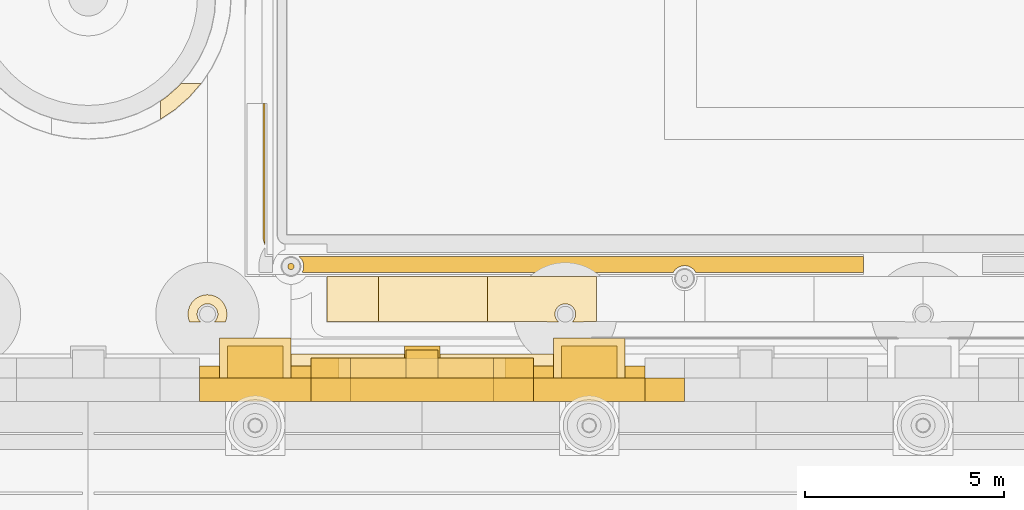
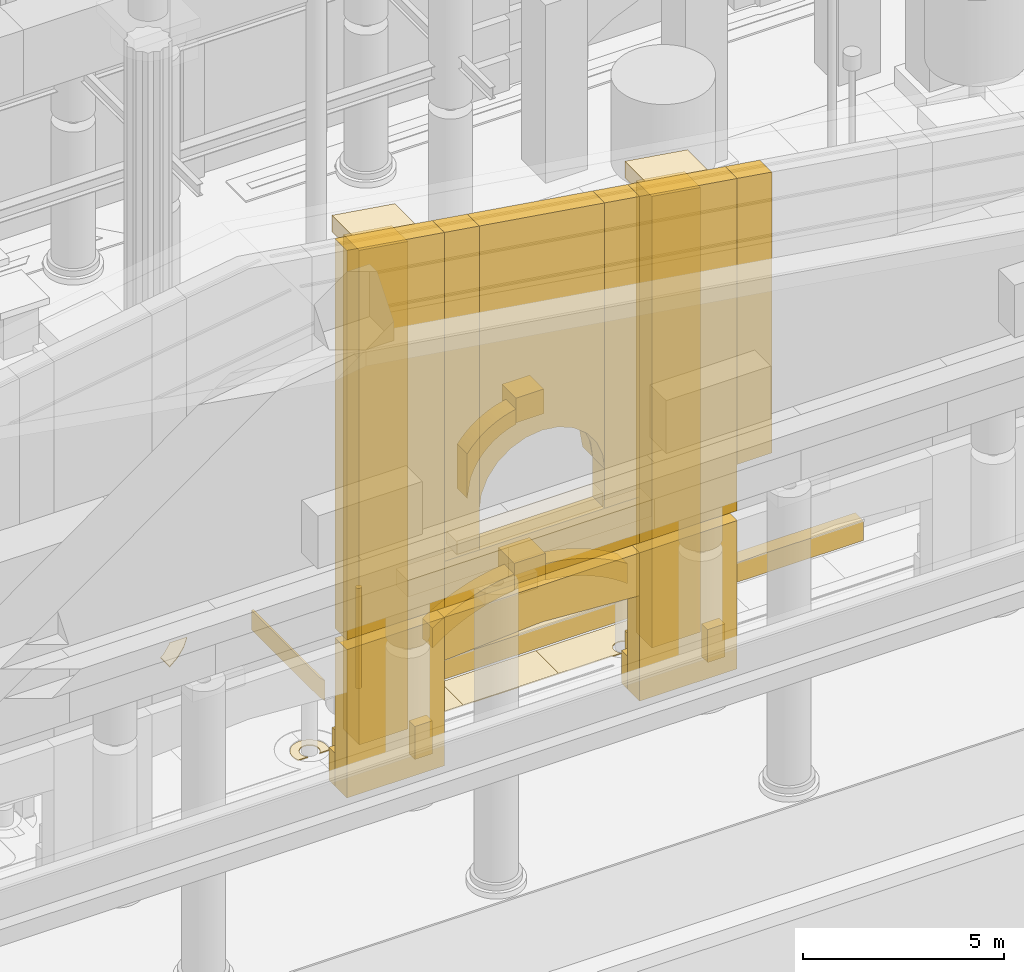
# One storey, part 124 of 222: 36 coverings.
"""IFC4 building model written with IfcOpenShell, lengths in metres."""

from ifc_helpers import new_model, si_unit, direction, frame, origin, origin_2d, place, context, subcontext, project, spatial, polyline, rectangle, circle, outline, extrude, material, layer, layer_set, type_object, element, save


model = new_model("IFC4")

# Units and contexts
model_context = context("Model", 3, precision=1e-05, world=origin(), true_north=direction((0.0, 1.0)))
body_context = subcontext(model_context, "Body", "Model", "MODEL_VIEW")
ifc_project = project(units=[si_unit("LENGTHUNIT", "METRE"), si_unit("AREAUNIT", "SQUARE_METRE"), si_unit("VOLUMEUNIT", "CUBIC_METRE"), si_unit("PLANEANGLEUNIT", "RADIAN"), si_unit("MASSUNIT", "GRAM", prefix="KILO")], contexts=[model_context])

# Site, building, storey
site_placement = place(None, origin())
site = spatial("IfcSite", under=ifc_project, at=site_placement, CompositionType="ELEMENT")
building_placement = place(site_placement, origin())
building = spatial("IfcBuilding", under=site, at=building_placement, Name="Sava Quay Ferry Terminal", CompositionType="ELEMENT")
storey_placement = place(building_placement, origin())
storey = spatial("IfcBuildingStorey", under=building, at=storey_placement, Name="L00", CompositionType="ELEMENT", Elevation=0.0)

# Coverings
ifc_material_1 = material(Name="Limestone Mutalj", Category="masonry")
ifc_layer_1 = layer(ifc_material_1, 0.60009765625)
ifc_layer_set_1 = layer_set([ifc_layer_1], Name="Limestone Mutalj")
covering_type_1 = type_object("IfcCoveringType", Name="Arcade spandrel 600", PredefinedType="CLADDING", material=ifc_layer_set_1)
covering_1_placement = place(storey_placement, frame((68.60009765625, 0.39990234375, 3.199951171875), z_axis=(0.0, 1.0, 0.0), x_axis=(0.0, 0.0, 1.0)))
element("IfcCovering", 1, at=covering_1_placement, inside=storey, type_object=covering_type_1, Name="Arcade spandrel", PredefinedType="CLADDING", context=body_context, shape_type="SweptSolid", body=[
    extrude(outline(polyline([(0.0, 0.0), (1.300048828125, 0.0), (1.300048828125, 5.599853515625), (0.0, 5.599853515625), (0.334228515625, 0.500244140625), (0.60009765625, 1.039794921875), (0.79345703125, 1.609619140625), (0.91064453125, 2.19970703125), (0.949951171875, 2.7998046875), (0.91064453125, 3.400146484375), (0.79345703125, 3.990234375), (0.60009765625, 4.56005859375), (0.334228515625, 5.099609375), (0.0, 0.0)])), origin(), (0.0, 0.0, -1.0), 0.60009765625),
])
ifc_material_2 = material(Name="Limestone Mutalj", Category="masonry")
ifc_layer_2 = layer(ifc_material_2, 0.60009765625)
ifc_layer_set_2 = layer_set([ifc_layer_2], Name="Limestone Mutalj")
covering_type_2 = type_object("IfcCoveringType", Name="Arcade wall pier 2800", PredefinedType="CLADDING", material=ifc_layer_set_2)
for number, where, z_axis, x_axis, name in (
    (2, (67.199951171875, 0.10009765625, 0.0), (0.0, 0.0, 1.0), (1.0, 0.0, 0.0), "Arcade wall pier"),
    (3, (75.60009765625, 0.10009765625, 0.0), (0.0, 0.0, 1.0), (1.0, 0.0, 0.0), "Arcade wall pier"),
):
    element("IfcCovering", number, at=place(storey_placement, frame(where, z_axis=z_axis, x_axis=x_axis)), inside=storey, type_object=covering_type_2, Name=name, PredefinedType="CLADDING", context=body_context, shape_type="SweptSolid", body=[
        extrude(rectangle(XDim=2.800048828125, YDim=0.60009765625, at=origin_2d()), origin(), (0.0, 0.0, 1.0), 4.5),
    ])
ifc_material_3 = material(Name="Limestone Mutalj", Category="masonry")
ifc_layer_3 = layer(ifc_material_3, 0.5)
ifc_layer_set_3 = layer_set([ifc_layer_3], Name="Limestone Mutalj")
covering_type_3 = type_object("IfcCoveringType", Name="Arch archivolt 500", PredefinedType="MOLDING", material=ifc_layer_set_3)
covering_2_placement = place(storey_placement, frame((68.60009765625, 0.39990234375, 3.199951171875), z_axis=(0.0, -1.0, 0.0), x_axis=(0.806852823611, 0.0, 0.590752504041)))
element("IfcCovering", 4, at=covering_2_placement, inside=storey, type_object=covering_type_3, Name="Arch archivolt", PredefinedType="MOLDING", context=body_context, shape_type="SweptSolid", body=[
    extrude(outline(polyline([(0.0, 0.0), (0.20787509749840927, 0.0), (0.40945697969939554, -0.009008576554329961), (0.604640128868794, -0.02634330518659722), (0.7946838762252251, -0.05111072595207916), (0.979050023977853, -0.08321937103230143), (1.1589979033452982, -0.12177578048254145), (1.333989316536725, -0.16668848648432477), (1.5047066880285258, -0.21785197130348632), (1.671188726772093, -0.2743868249109943), (1.8335409505015914, -0.33697547178324117), (1.991802068168413, -0.40473850189119476), (2.1465102775633937, -0.4777673830533299), (2.2971273808956973, -0.5559706474511719), (2.44419157595616, -0.6394397629031952), (2.7408658681467877, -0.23424048112394869), (2.5948112598852235, -0.14939246680344964), (2.4457806500940458, -0.06902236132657413), (2.2930916142968627, 0.0067643175725125015), (2.1371381235989517, 0.07767911652269655), (1.9775262068950354, 0.14401048889509205), (1.8145056086048346, 0.2052729957659455), (1.6475381309375143, 0.26155810495373144), (1.4770177449983528, 0.3125773630873362), (1.3021177996254005, 0.35802826687995526), (1.1235207192950503, 0.3980163340657535), (0.9402556261597954, 0.4320420758052873), (0.7525722646393578, 0.45962005317480337), (0.5597882102573449, 0.48064474844013677), (0.36215320743347845, 0.49463072267753416), (0.0, 0.0)])), origin(), (0.0, 0.0, -1.0), 0.5),
])
covering_3_placement = place(storey_placement, frame((71.85009765625, 0.39990234375, 4.1279296875), z_axis=(0.0, -1.0, 0.0), x_axis=(0.993288078375, 0.0, -0.115666734017)))
element("IfcCovering", 5, at=covering_3_placement, inside=storey, type_object=covering_type_3, Name="Arch archivolt", PredefinedType="MOLDING", context=body_context, shape_type="SweptSolid", body=[
    extrude(outline(polyline([(0.0, 0.0), (0.16885797084105578, 0.0), (0.33869265632147405, -0.006276812330012302), (0.5090472914454706, -0.01912941685976586), (0.6803786412088295, -0.03825883371953173), (0.8522299406157668, -0.06396404277903885), (1.0251709104570055, -0.09691607205759628), (1.198660068890557, -0.13668639550815445), (1.373267136707145, -0.18394604115002247), (1.5485635878597195, -0.23923649082518875), (1.7250061873440647, -0.3022587646639243), (1.9022793649080703, -0.3745243523972557), (2.0808398855475203, -0.4557342741554538), (2.2603721790103046, -0.5474000196695452), (2.4414177271384108, -0.6499501149865796), (2.3705097268655018, -0.041027662642972085), (2.191469144097561, 0.0443047926436376), (2.0136594265075956, 0.12117791784989947), (1.8365673312023516, 0.18977773705060355), (1.6606213842288784, 0.2506457320877383), (1.4853083426939224, 0.3039679270360939), (1.3110002547470634, 0.3507708076821776), (1.1372685943412522, 0.3905128921840011), (0.9645136485748037, 0.42397816435581226), (0.7922504135031985, 0.4511101463001416), (0.6209356541222211, 0.47220781788671823), (0.4500561275386178, 0.4874572031903321), (0.2800968376969075, 0.49691478010845264), (0.1105727806525713, 0.5005240707436104), (-0.05808751754734136, 0.49882655693779393), (0.0, 0.0)])), origin(), (0.0, 0.0, -1.0), 0.5),
])
ifc_material_4 = material(Name="Limestone Mutalj", Category="masonry")
ifc_layer_4 = layer(ifc_material_4, 0.800048828125)
ifc_layer_set_4 = layer_set([ifc_layer_4], Name="Limestone Mutalj")
covering_type_4 = type_object("IfcCoveringType", Name="Arch keystone 900", PredefinedType="CLADDING", material=ifc_layer_set_4)
covering_4_placement = place(storey_placement, frame((71.39990234375, 0.800048828125, 4.14990234375), z_axis=(0.0, 0.0, 1.0), x_axis=(1.0, 0.0, 0.0)))
element("IfcCovering", 6, at=covering_4_placement, inside=storey, type_object=covering_type_4, Name="Arch keystone", PredefinedType="CLADDING", context=body_context, shape_type="SweptSolid", body=[
    extrude(rectangle(XDim=0.89990234375, YDim=0.800048828125, at=origin_2d()), origin(), (0.0, 0.0, 1.0), 0.800048828125),
])
ifc_material_5 = material(Name="Limestone Mutalj", Category="masonry")
ifc_layer_5 = layer(ifc_material_5, 0.60009765625)
ifc_layer_set_5 = layer_set([ifc_layer_5], Name="Limestone Mutalj")
covering_type_5 = type_object("IfcCoveringType", Name="Attic arch head panel 600", PredefinedType="CLADDING", material=ifc_layer_set_5)
covering_5_placement = place(storey_placement, frame((69.60009765625, -0.199951171875, 7.39990234375), z_axis=(0.0, -1.0, 0.0), x_axis=(0.130360467782, 0.0, 0.991466665319)))
element("IfcCovering", 7, at=covering_5_placement, inside=storey, type_object=covering_type_5, Name="Attic arch head panel", PredefinedType="CLADDING", context=body_context, shape_type="SweptSolid", body=[
    extrude(outline(polyline([(0.0, 0.0), (0.47007576696975106, -6.938893903907228e-18), (0.9239096038088954, -0.12180908706656961), (1.3307996686807666, -0.3566594363796859), (1.6628474956806976, -0.6890123392533513), (1.8978308560459949, -1.095934230411302), (2.0193117900114737, -1.5497911444778028), (2.0193117900114737, -2.019866911447554), (1.8975027029449039, -2.473700748286698), (1.6626523536317879, -2.880590813158569), (1.3302994507581225, -3.2126386401585), (0.9233775596001718, -3.4476220005237974), (0.46927858824233326, -3.5691347607753556), (8.469030009664154, -2.517307832133723), (8.553094389419952, 1.1245818186193859), (0.0, 0.0)])), origin(), (0.0, 0.0, -1.0), 0.60009765625),
])
ifc_material_6 = material(Name="Limestone Mutalj", Category="masonry")
ifc_layer_6 = layer(ifc_material_6, 0.60009765625)
ifc_layer_set_6 = layer_set([ifc_layer_6], Name="Limestone Mutalj")
covering_type_6 = type_object("IfcCoveringType", Name="Attic wall pier 2800", PredefinedType="CLADDING", material=ifc_layer_set_6)
covering_6_placement = place(storey_placement, frame((65.800048828125, -0.199951171875, 4.800048828125), z_axis=(0.0, -1.0, 0.0), x_axis=(1.0, 0.0, 0.0)))
element("IfcCovering", 8, at=covering_6_placement, inside=storey, type_object=covering_type_6, Name="Attic wall pier", PredefinedType="CLADDING", context=body_context, shape_type="SweptSolid", body=[
    extrude(outline(polyline([(0.0, 0.0), (2.800048828125, 0.0), (2.800048828125, 11.3818359375), (0.0, 11.81591796875), (0.0, 0.0)])), origin(), (0.0, 0.0, -1.0), 0.60009765625),
])
covering_7_placement = place(storey_placement, frame((74.199951171875, -0.199951171875, 4.800048828125), z_axis=(0.0, -1.0, 0.0), x_axis=(1.0, 0.0, 0.0)))
element("IfcCovering", 9, at=covering_7_placement, inside=storey, type_object=covering_type_6, Name="Attic wall pier", PredefinedType="CLADDING", context=body_context, shape_type="SweptSolid", body=[
    extrude(outline(polyline([(0.0, 0.0), (2.800048828125, 0.0), (2.800048828125, 10.079345703125), (0.0, 10.513671875), (0.0, 0.0)])), origin(), (0.0, 0.0, -1.0), 0.60009765625),
])
ifc_material_7 = material(Name="Limestone Mutalj", Category="masonry")
ifc_layer_7 = layer(ifc_material_7, 0.60009765625)
ifc_layer_set_7 = layer_set([ifc_layer_7], Name="Limestone Mutalj")
covering_type_7 = type_object("IfcCoveringType", Name="Attic window jamb panel 600", PredefinedType="CLADDING", material=ifc_layer_set_7)
covering_8_placement = place(storey_placement, frame((68.60009765625, -0.199951171875, 6.199951171875), z_axis=(0.0, -1.0, 0.0), x_axis=(1.0, 0.0, 0.0)))
element("IfcCovering", 10, at=covering_8_placement, inside=storey, type_object=covering_type_7, Name="Attic window jamb panel", PredefinedType="CLADDING", context=body_context, shape_type="SweptSolid", body=[
    extrude(outline(polyline([(0.0, 0.0), (1.0, 0.0), (1.0, 9.82666015625), (0.0, 9.98193359375), (0.0, 0.0)])), origin(), (0.0, 0.0, -1.0), 0.60009765625),
])
covering_9_placement = place(storey_placement, frame((73.199951171875, -0.199951171875, 6.199951171875), z_axis=(0.0, -1.0, 0.0), x_axis=(1.0, 0.0, 0.0)))
element("IfcCovering", 11, at=covering_9_placement, inside=storey, type_object=covering_type_7, Name="Attic window jamb panel", PredefinedType="CLADDING", context=body_context, shape_type="SweptSolid", body=[
    extrude(outline(polyline([(0.0, 0.0), (1.0, 0.0), (1.0, 9.11376953125), (0.0, 9.2685546875), (0.0, 0.0)])), origin(), (0.0, 0.0, -1.0), 0.60009765625),
])
covering_10_placement = place(storey_placement, frame((77.0, -0.199951171875, 6.199951171875), z_axis=(0.0, -1.0, 0.0), x_axis=(1.0, 0.0, 0.0)))
element("IfcCovering", 12, at=covering_10_placement, inside=storey, type_object=covering_type_7, Name="Attic window jamb panel", PredefinedType="CLADDING", context=body_context, shape_type="SweptSolid", body=[
    extrude(outline(polyline([(0.0, 0.0), (1.0, 0.0), (1.0, 8.5244140625), (0.0, 8.679443359375), (0.0, 0.0)])), origin(), (0.0, 0.0, -1.0), 0.60009765625),
])
ifc_material_8 = material(Name="Limestone Mutalj", Category="masonry")
ifc_layer_8 = layer(ifc_material_8, 0.60009765625)
ifc_layer_set_8 = layer_set([ifc_layer_8], Name="Limestone Mutalj")
covering_type_8 = type_object("IfcCoveringType", Name="Attic window sill panel 600", PredefinedType="CLADDING", material=ifc_layer_set_8)
covering_11_placement = place(storey_placement, frame((68.60009765625, -0.199951171875, 4.800048828125), z_axis=(0.0, -1.0, 0.0), x_axis=(1.0, 0.0, 0.0)))
element("IfcCovering", 13, at=covering_11_placement, inside=storey, type_object=covering_type_8, Name="Attic window sill panel", PredefinedType="CLADDING", context=body_context, shape_type="SweptSolid", body=[
    extrude(outline(polyline([(0.0, 0.0), (5.599853515625, 0.0), (5.599853515625, 1.39990234375), (0.0, 1.39990234375), (0.0, 0.0)])), origin(), (0.0, 0.0, -1.0), 0.60009765625),
])
ifc_material_9 = material(Name="Limestone Mutalj", Category="masonry")
ifc_layer_9 = layer(ifc_material_9, 0.800048828125)
ifc_layer_set_9 = layer_set([ifc_layer_9], Name="Limestone Mutalj")
covering_type_9 = type_object("IfcCoveringType", Name="Back wall pilaster 800", PredefinedType="CLADDING", material=ifc_layer_set_9)
covering_12_placement = place(storey_placement, frame((66.5, 0.39990234375, 1.0), z_axis=(0.0, -1.0, 0.0), x_axis=(1.0, 0.0, 0.0)))
element("IfcCovering", 14, at=covering_12_placement, inside=storey, type_object=covering_type_9, Name="Back wall pilaster", PredefinedType="CLADDING", context=body_context, shape_type="SweptSolid", body=[
    extrude(outline(polyline([(0.0, 0.0), (1.39990234375, 0.0), (1.39990234375, 14.790283203125), (0.0, 15.00732421875), (0.0, 0.0)])), origin(), (0.0, 0.0, -1.0), 0.800048828125),
])
covering_13_placement = place(storey_placement, frame((74.89990234375, 0.39990234375, 1.0), z_axis=(0.0, -1.0, 0.0), x_axis=(1.0, 0.0, 0.0)))
element("IfcCovering", 15, at=covering_13_placement, inside=storey, type_object=covering_type_9, Name="Back wall pilaster", PredefinedType="CLADDING", context=body_context, shape_type="SweptSolid", body=[
    extrude(outline(polyline([(0.0, 0.0), (1.400146484375, 0.0), (1.400146484375, 13.488037109375), (0.0, 13.705078125), (0.0, 0.0)])), origin(), (0.0, 0.0, -1.0), 0.800048828125),
])
ifc_material_10 = material(Name="Limestone Mutalj", Category="masonry")
ifc_layer_10 = layer(ifc_material_10, 1.0)
ifc_layer_set_10 = layer_set([ifc_layer_10], Name="Limestone Mutalj")
covering_type_10 = type_object("IfcCoveringType", Name="Back wall pilaster base 1000", PredefinedType="MOLDING", material=ifc_layer_set_10)
for number, where, z_axis, x_axis, name in (
    (16, (67.199951171875, 0.89990234375, 0.0), (0.0, 0.0, 1.0), (1.0, 0.0, 0.0), "Back wall pilaster base"),
    (17, (75.60009765625, 0.89990234375, 0.0), (0.0, 0.0, 1.0), (1.0, 0.0, 0.0), "Back wall pilaster base"),
):
    element("IfcCovering", number, at=place(storey_placement, frame(where, z_axis=z_axis, x_axis=x_axis)), inside=storey, type_object=covering_type_10, Name=name, PredefinedType="MOLDING", context=body_context, shape_type="SweptSolid", body=[
        extrude(rectangle(XDim=1.800048828125, YDim=1.0, at=origin_2d()), origin(), (0.0, 0.0, 1.0), 1.0),
    ])
ifc_material_11 = material(Name="Limestone Mutalj", Category="masonry")
ifc_layer_11 = layer(ifc_material_11, 1.0)
ifc_layer_set_11 = layer_set([ifc_layer_11], Name="Limestone Mutalj")
covering_type_11 = type_object("IfcCoveringType", Name="Back wall pilaster capital 1000", PredefinedType="MOLDING", material=ifc_layer_set_11)
for number, where, z_axis, x_axis, name in (
    (18, (66.300048828125, 0.39990234375, 16.038330078125), (0.0, -1.0, 0.0), (0.988195952481, 0.0, -0.153195168003), "Back wall pilaster capital"),
    (19, (74.699951171875, 0.39990234375, 14.736083984375), (0.0, -1.0, 0.0), (0.988195952481, 0.0, -0.153195168003), "Back wall pilaster capital"),
):
    element("IfcCovering", number, at=place(storey_placement, frame(where, z_axis=z_axis, x_axis=x_axis)), inside=storey, type_object=covering_type_11, Name=name, PredefinedType="MOLDING", context=body_context, shape_type="SweptSolid", body=[
        extrude(outline(polyline([(0.0, 0.0), (1.8215504967462062, 0.0), (1.7449529127447014, 0.49409797624067686), (-0.07659758400150464, 0.49409797624067686), (0.0, 0.0)])), origin(), (0.0, 0.0, -1.0), 1.0),
    ])
ifc_material_12 = material(Name="Limestone Mutalj", Category="masonry")
ifc_layer_12 = layer(ifc_material_12, 0.030029296875)
ifc_layer_set_12 = layer_set([ifc_layer_12], Name="Limestone Mutalj")
covering_type_12 = type_object("IfcCoveringType", Name="Court paving tile 30", PredefinedType="FLOORING", material=ifc_layer_set_12)
covering_14_placement = place(storey_placement, origin())
element("IfcCovering", 20, at=covering_14_placement, inside=storey, type_object=covering_type_12, Name="Limestone paving tile", PredefinedType="FLOORING", context=body_context, shape_type="SweptSolid", body=[
    extrude(outline(polyline([(65.8359375, 7.800048828125), (65.3310546875, 7.800048828125), (65.27001953125, 7.72900390625), (64.955078125, 7.452880859375), (64.820068359375, 7.364013671875), (64.820068359375, 6.906982421875), (65.18603515625, 7.152099609375), (65.5390625, 7.4609375), (65.8359375, 7.800048828125)])), origin(), (0.0, 0.0, 1.0), 0.030029296875),
])
covering_15_placement = place(storey_placement, origin())
element("IfcCovering", 21, at=covering_15_placement, inside=storey, type_object=covering_type_12, Name="Limestone paving tile", PredefinedType="FLOORING", context=body_context, shape_type="SweptSolid", body=[
    extrude(outline(polyline([(69.010009765625, 1.81005859375), (70.300048828125, 1.81005859375), (70.300048828125, 2.949951171875), (69.010009765625, 2.949951171875), (69.010009765625, 1.81005859375)])), origin(), (0.0, 0.0, 1.0), 0.030029296875),
])
covering_16_placement = place(storey_placement, origin())
element("IfcCovering", 22, at=covering_16_placement, inside=storey, type_object=covering_type_12, Name="Limestone paving tile", PredefinedType="FLOORING", context=body_context, shape_type="SweptSolid", body=[
    extrude(outline(polyline([(75.4580078125, 1.81005859375), (75.780029296875, 1.81005859375), (75.780029296875, 2.949951171875), (73.0400390625, 2.949951171875), (73.0400390625, 1.81005859375), (74.5419921875, 1.81005859375), (74.548095703125, 1.80810546875), (74.552978515625, 1.800048828125), (74.833984375, 1.800048828125), (74.799072265625, 1.8349609375), (74.783935546875, 1.85595703125), (74.77099609375, 1.876953125), (74.7509765625, 1.924072265625), (74.7451171875, 1.948974609375), (74.740966796875, 1.97509765625), (74.739990234375, 2.0), (74.740966796875, 2.02490234375), (74.7451171875, 2.051025390625), (74.7509765625, 2.075927734375), (74.77099609375, 2.123046875), (74.783935546875, 2.14501953125), (74.799072265625, 2.1650390625), (74.8349609375, 2.200927734375), (74.876953125, 2.22900390625), (74.89990234375, 2.239990234375), (74.925048828125, 2.2490234375), (74.948974609375, 2.2548828125), (74.97412109375, 2.259033203125), (75.0, 2.260009765625), (75.02587890625, 2.259033203125), (75.075927734375, 2.2490234375), (75.1220703125, 2.22998046875), (75.14501953125, 2.216064453125), (75.1650390625, 2.200927734375), (75.200927734375, 2.1650390625), (75.22900390625, 2.123046875), (75.2490234375, 2.075927734375), (75.2548828125, 2.051025390625), (75.259033203125, 2.02490234375), (75.260009765625, 2.0), (75.259033203125, 1.97509765625), (75.2548828125, 1.948974609375), (75.2490234375, 1.924072265625), (75.22900390625, 1.876953125), (75.216064453125, 1.85595703125), (75.200927734375, 1.8349609375), (75.166015625, 1.800048828125), (75.447021484375, 1.800048828125), (75.450927734375, 1.80810546875), (75.4580078125, 1.81005859375)])), origin(), (0.0, 0.0, 1.0), 0.030029296875),
])
ifc_material_13 = material(Name="Red sandstone Vrsac", Category="masonry")
ifc_layer_13 = layer(ifc_material_13, 0.030029296875)
ifc_layer_set_13 = layer_set([ifc_layer_13], Name="Red sandstone Vrsac")
covering_type_13 = type_object("IfcCoveringType", Name="Court paving tile sandstone 30", PredefinedType="FLOORING", material=ifc_layer_set_13)
covering_17_placement = place(storey_placement, origin())
element("IfcCovering", 23, at=covering_17_placement, inside=storey, type_object=covering_type_13, Name="Sandstone paving tile", PredefinedType="FLOORING", context=body_context, shape_type="SweptSolid", body=[
    extrude(outline(polyline([(65.553955078125, 1.800048828125), (65.833984375, 1.800048828125), (65.81591796875, 1.81689453125), (65.799072265625, 1.8349609375), (65.783935546875, 1.85595703125), (65.77099609375, 1.876953125), (65.760009765625, 1.90087890625), (65.7509765625, 1.924072265625), (65.7451171875, 1.948974609375), (65.740966796875, 1.97509765625), (65.739990234375, 2.0), (65.740966796875, 2.02490234375), (65.7451171875, 2.051025390625), (65.7509765625, 2.075927734375), (65.760009765625, 2.09912109375), (65.77099609375, 2.123046875), (65.783935546875, 2.14501953125), (65.799072265625, 2.1650390625), (65.81591796875, 2.18310546875), (65.8349609375, 2.200927734375), (65.85595703125, 2.216064453125), (65.876953125, 2.22900390625), (65.89990234375, 2.239990234375), (65.925048828125, 2.2490234375), (65.948974609375, 2.2548828125), (65.97412109375, 2.259033203125), (66.0, 2.260009765625), (66.02587890625, 2.259033203125), (66.050048828125, 2.2548828125), (66.075927734375, 2.2490234375), (66.09912109375, 2.239990234375), (66.1220703125, 2.22998046875), (66.14501953125, 2.216064453125), (66.1650390625, 2.200927734375), (66.18310546875, 2.18408203125), (66.200927734375, 2.1650390625), (66.216064453125, 2.14404296875), (66.22900390625, 2.123046875), (66.239990234375, 2.09912109375), (66.2490234375, 2.075927734375), (66.2548828125, 2.051025390625), (66.259033203125, 2.02490234375), (66.260009765625, 2.0), (66.259033203125, 1.97509765625), (66.2548828125, 1.948974609375), (66.2490234375, 1.924072265625), (66.239990234375, 1.90087890625), (66.22900390625, 1.876953125), (66.216064453125, 1.85595703125), (66.200927734375, 1.8349609375), (66.18408203125, 1.81689453125), (66.166015625, 1.800048828125), (66.447021484375, 1.800048828125), (66.465087890625, 1.845947265625), (66.47802734375, 1.89208984375), (66.486083984375, 1.93994140625), (66.489990234375, 1.988037109375), (66.488037109375, 2.035888671875), (66.48193359375, 2.0830078125), (66.471923828125, 2.1298828125), (66.45703125, 2.176025390625), (66.43701171875, 2.219970703125), (66.4140625, 2.261962890625), (66.385986328125, 2.302001953125), (66.35498046875, 2.337890625), (66.319091796875, 2.3701171875), (66.281982421875, 2.40087890625), (66.240966796875, 2.426025390625), (66.198974609375, 2.447998046875), (66.154052734375, 2.465087890625), (66.10791015625, 2.47802734375), (66.06005859375, 2.486083984375), (66.0, 2.489990234375), (65.964111328125, 2.488037109375), (65.9169921875, 2.48193359375), (65.8701171875, 2.471923828125), (65.823974609375, 2.45703125), (65.780029296875, 2.43701171875), (65.738037109375, 2.4140625), (65.697998046875, 2.385986328125), (65.662109375, 2.35498046875), (65.6298828125, 2.319091796875), (65.59912109375, 2.281982421875), (65.573974609375, 2.240966796875), (65.552001953125, 2.198974609375), (65.534912109375, 2.154052734375), (65.52197265625, 2.10791015625), (65.513916015625, 2.06005859375), (65.510009765625, 2.011962890625), (65.511962890625, 1.964111328125), (65.51806640625, 1.9169921875), (65.528076171875, 1.8701171875), (65.54296875, 1.823974609375), (65.553955078125, 1.800048828125)])), origin(), (0.0, 0.0, 1.0), 0.030029296875),
])
covering_18_placement = place(storey_placement, origin())
element("IfcCovering", 24, at=covering_18_placement, inside=storey, type_object=covering_type_13, Name="Sandstone paving tile", PredefinedType="FLOORING", context=body_context, shape_type="SweptSolid", body=[
    extrude(outline(polyline([(70.300048828125, 1.81005859375), (73.0400390625, 1.81005859375), (73.0400390625, 2.949951171875), (70.300048828125, 2.949951171875), (70.300048828125, 1.81005859375)])), origin(), (0.0, 0.0, 1.0), 0.030029296875),
])
ifc_material_14 = material(Name="Limestone Mutalj", Category="masonry")
ifc_layer_14 = layer(ifc_material_14, 0.60009765625)
ifc_layer_set_14 = layer_set([ifc_layer_14], Name="Limestone Mutalj")
covering_type_14 = type_object("IfcCoveringType", Name="Face string course 600", PredefinedType="MOLDING", material=ifc_layer_set_14)
covering_19_placement = place(storey_placement, frame((71.39990234375, 0.699951171875, 5.0), z_axis=(0.0, 0.0, 1.0), x_axis=(1.0, 0.0, 0.0)))
element("IfcCovering", 25, at=covering_19_placement, inside=storey, type_object=covering_type_14, Name="Face string course", PredefinedType="MOLDING", context=body_context, shape_type="SweptSolid", body=[
    extrude(rectangle(XDim=7.0, YDim=0.60009765625, at=origin_2d()), origin(), (0.0, 0.0, 1.0), 0.5),
])
ifc_material_15 = material(Name="Steel S355", Category="steel")
ifc_layer_15 = layer(ifc_material_15, 0.159912109375)
ifc_layer_set_15 = layer_set([ifc_layer_15], Name="Steel S355")
covering_type_15 = type_object("IfcCoveringType", Name="Lamp standard column 160", PredefinedType="CLADDING", material=ifc_layer_set_15)
covering_20_placement = place(storey_placement, frame((68.10009765625, 3.199951171875, 3.550048828125), z_axis=(0.0, 0.0, -1.0), x_axis=(1.0, 0.0, 0.0)))
element("IfcCovering", 26, at=covering_20_placement, inside=storey, type_object=covering_type_15, Name="Lamp standard column", PredefinedType="CLADDING", context=body_context, shape_type="SweptSolid", body=[
    extrude(circle(Radius=0.080078125, at=origin_2d()), origin(), (0.0, 0.0, 1.0), 3.050048828125),
])
ifc_material_16 = material(Name="Limestone Mutalj", Category="masonry")
ifc_layer_16 = layer(ifc_material_16, 0.300048828125)
ifc_layer_set_16 = layer_set([ifc_layer_16], Name="Limestone Mutalj")
covering_type_16 = type_object("IfcCoveringType", Name="Pier rustication block 300", PredefinedType="CLADDING", material=ifc_layer_set_16)
for number, where, z_axis, x_axis, name in (
    (27, (66.050048828125, 0.550048828125, 0.0), (0.0, 0.0, 1.0), (1.0, 0.0, 0.0), "Pier rustication block"),
    (28, (68.35009765625, 0.550048828125, 0.0), (0.0, 0.0, 1.0), (1.0, 0.0, 0.0), "Pier rustication block"),
    (29, (74.449951171875, 0.550048828125, 0.0), (0.0, 0.0, 1.0), (1.0, 0.0, 0.0), "Pier rustication block"),
    (30, (76.75, 0.550048828125, 0.0), (0.0, 0.0, 1.0), (1.0, 0.0, 0.0), "Pier rustication block"),
):
    element("IfcCovering", number, at=place(storey_placement, frame(where, z_axis=z_axis, x_axis=x_axis)), inside=storey, type_object=covering_type_16, Name=name, PredefinedType="CLADDING", context=body_context, shape_type="SweptSolid", body=[
        extrude(rectangle(XDim=0.5, YDim=0.300048828125, at=origin_2d()), origin(), (0.0, 0.0, 1.0), 1.0),
    ])
ifc_material_17 = material(Name="Limestone Mutalj", Category="masonry")
ifc_layer_17 = layer(ifc_material_17, 0.39990234375)
ifc_layer_set_17 = layer_set([ifc_layer_17], Name="Limestone Mutalj")
covering_type_17 = type_object("IfcCoveringType", Name="Retaining wall 400", PredefinedType="CLADDING", material=ifc_layer_set_17)
covering_21_placement = place(storey_placement, origin())
element("IfcCovering", 31, at=covering_21_placement, inside=storey, type_object=covering_type_17, Name="Retaining wall", PredefinedType="CLADDING", context=body_context, shape_type="SweptSolid", body=[
    extrude(outline(polyline([(67.449951171875, 7.300048828125), (67.39111328125, 7.300048828125), (67.39111328125, 3.97607421875), (67.39306640625, 3.93798828125), (67.39892578125, 3.90087890625), (67.407958984375, 3.85400390625), (67.4208984375, 3.80810546875), (67.428955078125, 3.785888671875), (67.43896484375, 3.760009765625), (67.449951171875, 3.739013671875), (67.449951171875, 7.300048828125)])), origin(), (0.0, 0.0, 1.0), 0.60009765625),
])
covering_22_placement = place(storey_placement, origin())
element("IfcCovering", 32, at=covering_22_placement, inside=storey, type_object=covering_type_17, Name="Retaining wall", PredefinedType="CLADDING", context=body_context, shape_type="SweptSolid", body=[
    extrude(outline(polyline([(82.5, 3.449951171875), (68.299072265625, 3.449951171875), (68.326904296875, 3.426025390625), (68.347900390625, 3.402099609375), (68.366943359375, 3.376953125), (68.382080078125, 3.35205078125), (68.39501953125, 3.322998046875), (68.406005859375, 3.2939453125), (68.4140625, 3.262939453125), (68.41796875, 3.23193359375), (68.419921875, 3.200927734375), (68.41796875, 3.16796875), (68.4140625, 3.136962890625), (68.406005859375, 3.10595703125), (68.39501953125, 3.076904296875), (68.383056640625, 3.050048828125), (77.717041015625, 3.050048828125), (77.73388671875, 3.0791015625), (77.751953125, 3.10205078125), (77.77294921875, 3.1259765625), (77.798095703125, 3.14794921875), (77.821044921875, 3.166015625), (77.847900390625, 3.181884765625), (77.876953125, 3.195068359375), (77.907958984375, 3.2060546875), (77.93701171875, 3.214111328125), (77.968017578125, 3.218017578125), (78.0009765625, 3.219970703125), (78.030029296875, 3.218994140625), (78.06103515625, 3.214111328125), (78.093994140625, 3.2060546875), (78.123046875, 3.195068359375), (78.14990234375, 3.18310546875), (78.177001953125, 3.1669921875), (78.201904296875, 3.14794921875), (78.22705078125, 3.1259765625), (78.248046875, 3.10205078125), (78.26611328125, 3.0791015625), (78.282958984375, 3.050048828125), (82.5, 3.050048828125), (82.5, 3.449951171875)])), origin(), (0.0, 0.0, 1.0), 0.60009765625),
])
ifc_material_18 = material(Name="Limestone Mutalj", Category="masonry")
ifc_layer_18 = layer(ifc_material_18, 0.5)
ifc_layer_set_18 = layer_set([ifc_layer_18], Name="Limestone Mutalj")
covering_type_18 = type_object("IfcCoveringType", Name="Window archivolt 450", PredefinedType="MOLDING", material=ifc_layer_set_18)
covering_23_placement = place(storey_placement, frame((69.60009765625, 0.39990234375, 7.39990234375), z_axis=(0.0, -1.0, 0.0), x_axis=(0.166377641134, 0.0, 0.986062107846)))
element("IfcCovering", 33, at=covering_23_placement, inside=storey, type_object=covering_type_18, Name="Window archivolt", PredefinedType="MOLDING", context=body_context, shape_type="SweptSolid", body=[
    extrude(outline(polyline([(0.0, 0.0), (0.6001618663680972, 0.0), (0.8464797579087572, -0.05995146351930278), (1.03112814816772, -0.13006079179019225), (1.1823546010854897, -0.20605697412004037), (1.3109516989892047, -0.28587139333138545), (1.4228972678200338, -0.36824782307261594), (1.521402138311442, -0.45313968494552603), (1.609033187393127, -0.5396186883573009), (1.686834605424868, -0.6280038307813677), (1.7564509376004613, -0.7177700376093801), (1.8183230400172117, -0.8085953319394548), (1.8732543652155995, -0.9008393307863108), (1.921404411932338, -0.9939799389700591), (1.9635766327079072, -1.088376773505419), (2.416404470808302, -1.0119714163341889), (2.379528482057299, -0.9166809518903936), (2.338119094280917, -0.8224029965504548), (2.2916135927579755, -0.7287373137583606), (2.2400932165710588, -0.6361653791527075), (2.1832359888182835, -0.5442463366361916), (2.1206010534023454, -0.453302163110696), (2.0519882920452384, -0.36361421593681204), (1.9765942522064819, -0.27482287809982003), (1.8940186973300643, -0.18749086432090212), (1.8034581748755054, -0.10125855758533892), (1.703749615287605, -0.016569793418891476), (1.5932484733725667, 0.06605035357009414), (1.4699476074934175, 0.14675840268987458), (1.3312801407204597, 0.22462606334763535), (0.0, 0.0)])), origin(), (0.0, 0.0, -1.0), 0.5),
])
covering_24_placement = place(storey_placement, frame((71.800048828125, 0.39990234375, 9.155029296875), z_axis=(0.0, -1.0, 0.0), x_axis=(0.96801818973, 0.0, -0.250880019832)))
element("IfcCovering", 34, at=covering_24_placement, inside=storey, type_object=covering_type_18, Name="Window archivolt", PredefinedType="MOLDING", context=body_context, shape_type="SweptSolid", body=[
    extrude(outline(polyline([(0.0, 0.0), (0.10315251994676819, 3.469446951953614e-18), (0.20807262258043546, -0.005847064141461848), (0.3147077253496753, -0.0183114401267839), (0.42288274569347745, -0.03769071052666015), (0.5332540987580718, -0.06457137302896335), (0.6454716194214378, -0.09954859277508149), (0.760436722849173, -0.14415419771629584), (0.8781580764947927, -0.199394768120857), (0.9990730978457054, -0.2679312122179804), (1.1244507020965597, -0.3527133533540602), (1.2553494742366984, -0.4597720056850839), (1.39499832961571, -0.5996196346647147), (1.5503271862342425, -0.7999684005024956), (1.7954572174044825, -1.3477872881477784), (1.4567446906289003, -0.040868198985391124), (1.3290309187405394, 0.053901159921320885), (1.2050008145962063, 0.1334839846086534), (1.0842169607084928, 0.20054118330582205), (0.9664256896045159, 0.25702466654448575), (0.8507255861186783, 0.304466262275926), (0.7372830653584747, 0.3441701333390871), (0.6254417121776752, 0.37672277742184185), (0.5153153591324484, 0.40265810966073645), (0.4069565887741206, 0.42274637775816915), (0.2998314859661457, 0.4371014142703084), (0.1942902158305443, 0.4463183843385422), (0.08979886323077019, 0.450511120519039), (-0.013406239267324524, 0.4497408728166407), (-0.1152112591075714, 0.4445415563678934), (0.0, 0.0)])), origin(), (0.0, 0.0, -1.0), 0.5),
])
ifc_material_19 = material(Name="Limestone Mutalj", Category="masonry")
ifc_layer_19 = layer(ifc_material_19, 0.699951171875)
ifc_layer_set_19 = layer_set([ifc_layer_19], Name="Limestone Mutalj")
covering_type_19 = type_object("IfcCoveringType", Name="Window keystone 800", PredefinedType="CLADDING", material=ifc_layer_set_19)
covering_25_placement = place(storey_placement, frame((71.39990234375, 0.75, 9.199951171875), z_axis=(0.0, 0.0, 1.0), x_axis=(1.0, 0.0, 0.0)))
element("IfcCovering", 35, at=covering_25_placement, inside=storey, type_object=covering_type_19, Name="Window keystone", PredefinedType="CLADDING", context=body_context, shape_type="SweptSolid", body=[
    extrude(rectangle(XDim=0.800048828125, YDim=0.699951171875, at=origin_2d()), origin(), (0.0, 0.0, 1.0), 0.75),
])
ifc_material_20 = material(Name="Limestone Mutalj", Category="masonry")
ifc_layer_20 = layer(ifc_material_20, 0.5)
ifc_layer_set_20 = layer_set([ifc_layer_20], Name="Limestone Mutalj")
covering_type_20 = type_object("IfcCoveringType", Name="Window sill band 400", PredefinedType="MOLDING", material=ifc_layer_set_20)
covering_26_placement = place(storey_placement, frame((71.39990234375, 0.64990234375, 5.800048828125), z_axis=(0.0, 0.0, 1.0), x_axis=(1.0, 0.0, 0.0)))
element("IfcCovering", 36, at=covering_26_placement, inside=storey, type_object=covering_type_20, Name="Window sill band", PredefinedType="MOLDING", context=body_context, shape_type="SweptSolid", body=[
    extrude(rectangle(XDim=4.199951171875, YDim=0.5, at=origin_2d()), origin(), (0.0, 0.0, 1.0), 0.39990234375),
])

save(model, "model.ifc")
